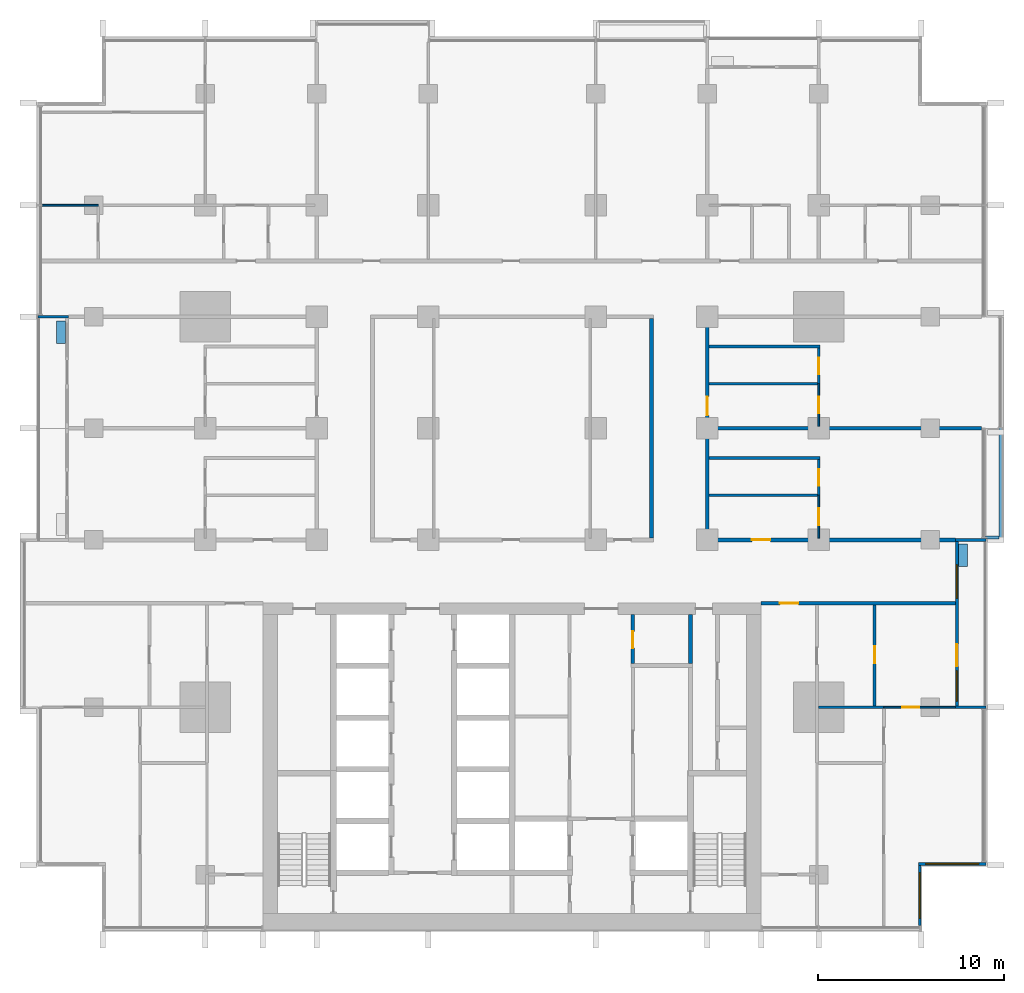
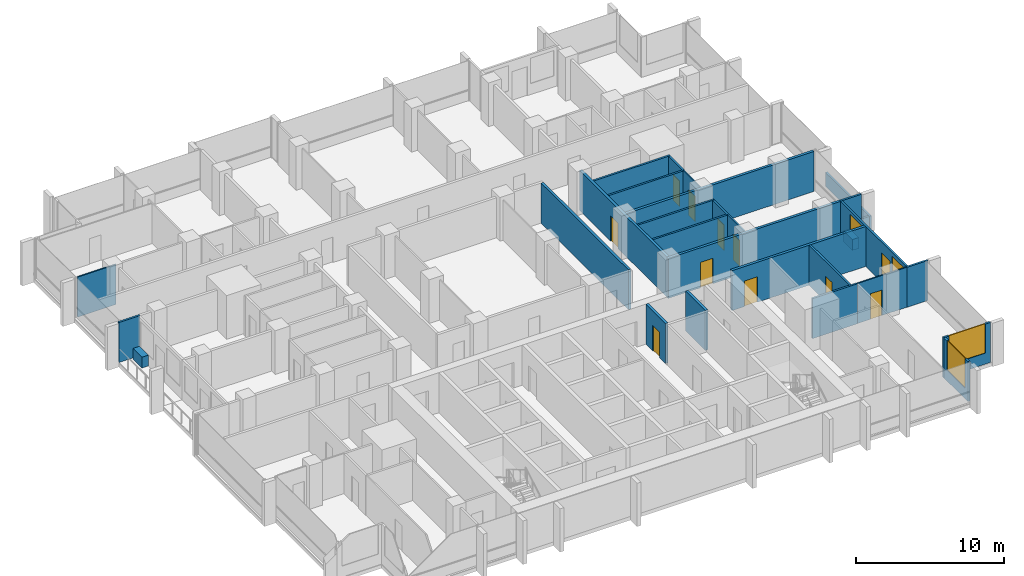
# One storey, part 10 of 17: 29 walls, 11 doors, 4 windows, 15 openings.
"""IFC4 building model written with IfcOpenShell, lengths in metres."""

from ifc_helpers import new_model, si_unit, direction, frame, frame_2d, origin, place, context, subcontext, project, spatial, rectangle, extrude, material, layer, layer_set, type_object, element, fill, save


model = new_model("IFC4")

# Units and contexts
model_context = context("Model", 3, precision=1e-05, world=origin(), true_north=direction((0.0, 1.0)))
body_context = subcontext(model_context, "Body", "Model", "MODEL_VIEW")
ifc_project = project(units=[si_unit("LENGTHUNIT", "METRE"), si_unit("AREAUNIT", "SQUARE_METRE"), si_unit("VOLUMEUNIT", "CUBIC_METRE"), si_unit("PLANEANGLEUNIT", "RADIAN"), si_unit("MASSUNIT", "GRAM", prefix="KILO")], contexts=[model_context])

# Site, building, storey
site_placement = place(None, origin())
site = spatial("IfcSite", under=ifc_project, at=site_placement, CompositionType="ELEMENT")
building_placement = place(site_placement, origin())
building = spatial("IfcBuilding", under=site, at=building_placement, Name="Finial Court Residences", CompositionType="ELEMENT")
storey_placement = place(building_placement, frame((0.0, 0.0, 117.10009765625)))
storey = spatial("IfcBuildingStorey", under=building, at=storey_placement, Name="L29", CompositionType="ELEMENT", Elevation=117.10009765625)

# Wall
ifc_material_1 = material(Name="Gypsum board")
ifc_layer_1 = layer(ifc_material_1, 0.02490234375)
ifc_material_2 = material(Name="Acoustic mineral wool in double frame")
ifc_layer_2 = layer(ifc_material_2, 0.14990234375)
ifc_layer_3 = layer(ifc_material_1, 0.02490234375)
ifc_layer_set_1 = layer_set([ifc_layer_1, ifc_layer_2, ifc_layer_3], Name="Acoustic party wall 200, 1 hour")
wall_type_1 = type_object("IfcWallType", Name="Acoustic party wall 200, 1 hour", PredefinedType="PARTITIONING", material=ifc_layer_set_1)
wall_1_placement = place(storey_placement, frame((10.60009765625, 1.5, 0.0), z_axis=(0.0, 0.0, 1.0), x_axis=(1.0, 0.0, 0.0)))
element("IfcWall", 1, at=wall_1_placement, inside=storey, type_object=wall_type_1, Name="Partition L29-018", PredefinedType="PARTITIONING", context=body_context, shape_type="SweptSolid", body=[
    extrude(rectangle(XDim=14.64990234375, YDim=0.199951171875, at=frame_2d((7.324951171875, 0.0))), origin(), (0.0, 0.0, 1.0), 3.2998046875),
])

# Wall, opening, door
ifc_layer_4 = layer(ifc_material_1, 0.02490234375)
ifc_layer_5 = layer(ifc_material_2, 0.14990234375)
ifc_layer_6 = layer(ifc_material_1, 0.02490234375)
ifc_layer_set_2 = layer_set([ifc_layer_4, ifc_layer_5, ifc_layer_6], Name="Corridor wall 200, 1 hour")
wall_type_2 = type_object("IfcWallType", Name="Corridor wall 200, 1 hour", PredefinedType="PARTITIONING", material=ifc_layer_set_2)
wall_2_placement = place(storey_placement, frame((13.39990234375, -7.89990234375, 0.0), z_axis=(0.0, 0.0, 1.0), x_axis=(1.0, 0.0, 0.0)))
wall_2 = element("IfcWall", 2, at=wall_2_placement, inside=storey, type_object=wall_type_2, Name="Partition L29-009", PredefinedType="PARTITIONING", context=body_context, shape_type="SweptSolid", body=[
    extrude(rectangle(XDim=10.4501953125, YDim=0.199951171875, at=frame_2d((5.22509765625, 0.0))), origin(), (0.0, 0.0, 1.0), 3.2998046875),
])
opening_1_placement = place(wall_2_placement, frame((1.0, 0.0, 0.0)))
opening_1 = element("IfcOpeningElement", 3, at=opening_1_placement, cuts=wall_2, Name="Opening L29-D006", PredefinedType="OPENING", context=body_context, shape_type="SweptSolid", body=[
    extrude(rectangle(XDim=1.0, YDim=2.10009765625, at=frame_2d((0.5, 1.050048828125))), frame((0.0, 0.10986328125, 0.0), z_axis=(0.0, -1.0, 0.0), x_axis=(1.0, 0.0, 0.0)), (0.0, 0.0, 1.0), 0.219970703125),
])
ifc_material_3 = material(Name="Timber door leaf in hollow metal frame", Category="wood")
door_type_1 = type_object("IfcDoorType", Name="Fire door set 1000 x 2100, 30 minutes", OperationType="SINGLE_SWING_LEFT", PredefinedType="DOOR", material=ifc_material_3)
door_1_placement = place(opening_1_placement, origin())
door_1 = element("IfcDoor", 4, at=door_1_placement, inside=storey, type_object=door_type_1, Name="Door L29-D006", OperationType="SINGLE_SWING_LEFT", OverallHeight=2.10009765625, OverallWidth=1.0, PredefinedType="DOOR", context=body_context, shape_type="SweptSolid", body=[
    extrude(rectangle(XDim=1.0, YDim=2.10009765625, at=frame_2d((0.5, 1.050048828125))), frame((0.0, 0.02490234375, 0.0), z_axis=(0.0, -1.0, 0.0), x_axis=(1.0, 0.0, 0.0)), (0.0, 0.0, 1.0), 0.050048828125),
])
fill(opening_1, door_1)

wall_3_placement = place(storey_placement, frame((10.39990234375, -4.5, 0.0), z_axis=(0.0, 0.0, 1.0), x_axis=(1.0, 0.0, 0.0)))
wall_3 = element("IfcWall", 5, at=wall_3_placement, inside=storey, type_object=wall_type_2, Name="Partition L29-012", PredefinedType="PARTITIONING", context=body_context, shape_type="SweptSolid", body=[
    extrude(rectangle(XDim=13.4501953125, YDim=0.199951171875, at=frame_2d((6.72509765625, 0.0))), origin(), (0.0, 0.0, 1.0), 3.2998046875),
])
opening_2_placement = place(wall_3_placement, frame((2.5, 0.0, 0.0)))
opening_2 = element("IfcOpeningElement", 6, at=opening_2_placement, cuts=wall_3, Name="Opening L29-D011", PredefinedType="OPENING", context=body_context, shape_type="SweptSolid", body=[
    extrude(rectangle(XDim=1.0, YDim=2.10009765625, at=frame_2d((0.5, 1.050048828125))), frame((0.0, 0.10986328125, 0.0), z_axis=(0.0, -1.0, 0.0), x_axis=(1.0, 0.0, 0.0)), (0.0, 0.0, 1.0), 0.219970703125),
])
door_2_placement = place(opening_2_placement, origin())
door_2 = element("IfcDoor", 7, at=door_2_placement, inside=storey, type_object=door_type_1, Name="Door L29-D011", OperationType="SINGLE_SWING_RIGHT", OverallHeight=2.10009765625, OverallWidth=1.0, PredefinedType="DOOR", context=body_context, shape_type="SweptSolid", body=[
    extrude(rectangle(XDim=1.0, YDim=2.10009765625, at=frame_2d((0.5, 1.050048828125))), frame((0.0, 0.02490234375, 0.0), z_axis=(0.0, -1.0, 0.0), x_axis=(1.0, 0.0, 0.0)), (0.0, 0.0, 1.0), 0.050048828125),
])
fill(opening_2, door_2)

# Wall
wall_4_placement = place(storey_placement, frame((7.5, -4.39990234375, 0.0), z_axis=(0.0, 0.0, 1.0), x_axis=(0.0, 1.0, 0.0)))
element("IfcWall", 8, at=wall_4_placement, inside=storey, type_object=wall_type_2, Name="Partition L29-058", PredefinedType="PARTITIONING", context=body_context, shape_type="SweptSolid", body=[
    extrude(rectangle(XDim=11.7998046875, YDim=0.199951171875, at=frame_2d((5.89990234375, 0.0))), origin(), (0.0, 0.0, 1.0), 3.2998046875),
])

# Wall, opening, door
wall_5_placement = place(storey_placement, frame((10.5, -4.39990234375, 0.0), z_axis=(0.0, 0.0, 1.0), x_axis=(0.0, 1.0, 0.0)))
wall_5 = element("IfcWall", 9, at=wall_5_placement, inside=storey, type_object=wall_type_2, Name="Partition L29-059", PredefinedType="PARTITIONING", context=body_context, shape_type="SweptSolid", body=[
    extrude(rectangle(XDim=11.7998046875, YDim=0.199951171875, at=frame_2d((5.89990234375, 0.0))), origin(), (0.0, 0.0, 1.0), 3.2998046875),
])
opening_3_placement = place(wall_5_placement, frame((6.60009765625, 0.0, 0.0)))
opening_3 = element("IfcOpeningElement", 10, at=opening_3_placement, cuts=wall_5, Name="Opening L29-D037", PredefinedType="OPENING", context=body_context, shape_type="SweptSolid", body=[
    extrude(rectangle(XDim=1.0, YDim=2.10009765625, at=frame_2d((0.5, 1.050048828125))), frame((0.0, 0.10986328125, 0.0), z_axis=(0.0, -1.0, 0.0), x_axis=(1.0, 0.0, 0.0)), (0.0, 0.0, 1.0), 0.219970703125),
])
door_3_placement = place(opening_3_placement, origin())
door_3 = element("IfcDoor", 11, at=door_3_placement, inside=storey, type_object=door_type_1, Name="Door L29-D037", OperationType="SINGLE_SWING_RIGHT", OverallHeight=2.10009765625, OverallWidth=1.0, PredefinedType="DOOR", context=body_context, shape_type="SweptSolid", body=[
    extrude(rectangle(XDim=1.0, YDim=2.10009765625, at=frame_2d((0.5, 1.050048828125))), frame((0.0, 0.02490234375, 0.0), z_axis=(0.0, -1.0, 0.0), x_axis=(1.0, 0.0, 0.0)), (0.0, 0.0, 1.0), 0.050048828125),
])
fill(opening_3, door_3)

ifc_layer_7 = layer(ifc_material_1, 0.012451171875)
ifc_material_4 = material(Name="Mineral wool in light-gauge frame")
ifc_layer_8 = layer(ifc_material_4, 0.074951171875)
ifc_layer_9 = layer(ifc_material_1, 0.012451171875)
ifc_layer_set_3 = layer_set([ifc_layer_7, ifc_layer_8, ifc_layer_9], Name="Gypsum board partition 100")
wall_type_3 = type_object("IfcWallType", Name="Gypsum board partition 100", PredefinedType="PARTITIONING", material=ifc_layer_set_3)
wall_6_placement = place(storey_placement, frame((20.0, -13.5, 0.0), z_axis=(0.0, 0.0, 1.0), x_axis=(1.0, 0.0, 0.0)))
wall_6 = element("IfcWall", 12, at=wall_6_placement, inside=storey, type_object=wall_type_3, Name="Partition L29-005", PredefinedType="PARTITIONING", context=body_context, shape_type="SweptSolid", body=[
    extrude(rectangle(XDim=3.85009765625, YDim=0.10009765625, at=frame_2d((1.925048828125, 0.0))), origin(), (0.0, 0.0, 1.0), 3.2998046875),
])
opening_4_placement = place(wall_6_placement, frame((1.0, 0.0, 0.0)))
opening_4 = element("IfcOpeningElement", 13, at=opening_4_placement, cuts=wall_6, Name="Opening L29-D004", PredefinedType="OPENING", context=body_context, shape_type="SweptSolid", body=[
    extrude(rectangle(XDim=0.89990234375, YDim=2.10009765625, at=frame_2d((0.449951171875, 1.050048828125))), frame((0.0, 0.06005859375, 0.0), z_axis=(0.0, -1.0, 0.0), x_axis=(1.0, 0.0, 0.0)), (0.0, 0.0, 1.0), 0.1201171875),
])
ifc_material_5 = material(Name="Timber door leaf in timber frame", Category="wood")
door_type_2 = type_object("IfcDoorType", Name="Door set 900 x 2100", OperationType="SINGLE_SWING_LEFT", PredefinedType="DOOR", material=ifc_material_5)
door_4_placement = place(opening_4_placement, origin())
door_4 = element("IfcDoor", 14, at=door_4_placement, inside=storey, type_object=door_type_2, Name="Door L29-D004", OperationType="SINGLE_SWING_LEFT", OverallHeight=2.10009765625, OverallWidth=0.89990234375, PredefinedType="DOOR", context=body_context, shape_type="SweptSolid", body=[
    extrude(rectangle(XDim=0.89990234375, YDim=2.10009765625, at=frame_2d((0.449951171875, 1.050048828125))), frame((0.0, 0.02490234375, 0.0), z_axis=(0.0, -1.0, 0.0), x_axis=(1.0, 0.0, 0.0)), (0.0, 0.0, 1.0), 0.050048828125),
])
fill(opening_4, door_4)

# Wall
wall_7_placement = place(storey_placement, frame((-25.25, 13.5, 0.0), z_axis=(0.0, 0.0, 1.0), x_axis=(1.0, 0.0, 0.0)))
element("IfcWall", 15, at=wall_7_placement, inside=storey, type_object=wall_type_3, Name="Partition L29-027", PredefinedType="PARTITIONING", context=body_context, shape_type="SweptSolid", body=[
    extrude(rectangle(XDim=3.0, YDim=0.10009765625, at=frame_2d((1.5, 0.0))), origin(), (0.0, 0.0, 1.0), 3.2998046875),
])

# Wall, opening, door
wall_8_placement = place(storey_placement, frame((16.5, -4.39990234375, 0.0), z_axis=(0.0, 0.0, 1.0), x_axis=(0.0, 1.0, 0.0)))
wall_8 = element("IfcWall", 16, at=wall_8_placement, inside=storey, type_object=wall_type_3, Name="Partition L29-066", PredefinedType="PARTITIONING", context=body_context, shape_type="SweptSolid", body=[
    extrude(rectangle(XDim=2.2998046875, YDim=0.10009765625, at=frame_2d((1.14990234375, 0.0))), origin(), (0.0, 0.0, 1.0), 3.2998046875),
])
opening_5_placement = place(wall_8_placement, frame((0.699951171875, 0.0, 0.0)))
opening_5 = element("IfcOpeningElement", 17, at=opening_5_placement, cuts=wall_8, Name="Opening L29-D039", PredefinedType="OPENING", context=body_context, shape_type="SweptSolid", body=[
    extrude(rectangle(XDim=0.89990234375, YDim=2.10009765625, at=frame_2d((0.449951171875, 1.050048828125))), frame((0.0, 0.06005859375, 0.0), z_axis=(0.0, -1.0, 0.0), x_axis=(1.0, 0.0, 0.0)), (0.0, 0.0, 1.0), 0.1201171875),
])
door_5_placement = place(opening_5_placement, origin())
door_5 = element("IfcDoor", 18, at=door_5_placement, inside=storey, type_object=door_type_2, Name="Door L29-D039", OperationType="SINGLE_SWING_RIGHT", OverallHeight=2.10009765625, OverallWidth=0.89990234375, PredefinedType="DOOR", context=body_context, shape_type="SweptSolid", body=[
    extrude(rectangle(XDim=0.89990234375, YDim=2.10009765625, at=frame_2d((0.449951171875, 1.050048828125))), frame((0.0, 0.02490234375, 0.0), z_axis=(0.0, -1.0, 0.0), x_axis=(1.0, 0.0, 0.0)), (0.0, 0.0, 1.0), 0.050048828125),
])
fill(opening_5, door_5)

wall_9_placement = place(storey_placement, frame((16.5, 1.60009765625, 0.0), z_axis=(0.0, 0.0, 1.0), x_axis=(0.0, 1.0, 0.0)))
wall_9 = element("IfcWall", 19, at=wall_9_placement, inside=storey, type_object=wall_type_3, Name="Partition L29-067", PredefinedType="PARTITIONING", context=body_context, shape_type="SweptSolid", body=[
    extrude(rectangle(XDim=2.2998046875, YDim=0.10009765625, at=frame_2d((1.14990234375, 0.0))), origin(), (0.0, 0.0, 1.0), 3.2998046875),
])
opening_6_placement = place(wall_9_placement, frame((0.699951171875, 0.0, 0.0)))
opening_6 = element("IfcOpeningElement", 20, at=opening_6_placement, cuts=wall_9, Name="Opening L29-D040", PredefinedType="OPENING", context=body_context, shape_type="SweptSolid", body=[
    extrude(rectangle(XDim=0.89990234375, YDim=2.10009765625, at=frame_2d((0.449951171875, 1.050048828125))), frame((0.0, 0.06005859375, 0.0), z_axis=(0.0, -1.0, 0.0), x_axis=(1.0, 0.0, 0.0)), (0.0, 0.0, 1.0), 0.1201171875),
])
door_6_placement = place(opening_6_placement, origin())
door_6 = element("IfcDoor", 21, at=door_6_placement, inside=storey, type_object=door_type_2, Name="Door L29-D040", OperationType="SINGLE_SWING_LEFT", OverallHeight=2.10009765625, OverallWidth=0.89990234375, PredefinedType="DOOR", context=body_context, shape_type="SweptSolid", body=[
    extrude(rectangle(XDim=0.89990234375, YDim=2.10009765625, at=frame_2d((0.449951171875, 1.050048828125))), frame((0.0, 0.02490234375, 0.0), z_axis=(0.0, -1.0, 0.0), x_axis=(1.0, 0.0, 0.0)), (0.0, 0.0, 1.0), 0.050048828125),
])
fill(opening_6, door_6)

# Walls
ifc_material_6 = material(Name="Moisture-resistant gypsum board")
ifc_layer_10 = layer(ifc_material_6, 0.012451171875)
ifc_layer_11 = layer(ifc_material_4, 0.125)
ifc_layer_12 = layer(ifc_material_6, 0.012451171875)
ifc_layer_set_4 = layer_set([ifc_layer_10, ifc_layer_11, ifc_layer_12], Name="Gypsum board wet-area partition 150")
wall_type_4 = type_object("IfcWallType", Name="Gypsum board wet-area partition 150", PredefinedType="PARTITIONING", material=ifc_layer_set_4)
wall_10_placement = place(storey_placement, frame((16.47509765625, -13.5, 0.0), z_axis=(0.0, 0.0, 1.0), x_axis=(1.0, 0.0, 0.0)))
element("IfcWall", 22, at=wall_10_placement, inside=storey, type_object=wall_type_4, Name="Partition L29-007", PredefinedType="PARTITIONING", context=body_context, shape_type="SweptSolid", body=[
    extrude(rectangle(XDim=3.52490234375, YDim=0.14990234375, at=frame_2d((1.762451171875, 0.0))), origin(), (0.0, 0.0, 1.0), 3.2998046875),
])
wall_11_placement = place(storey_placement, frame((10.60009765625, -2.10009765625, 0.0), z_axis=(0.0, 0.0, 1.0), x_axis=(1.0, 0.0, 0.0)))
element("IfcWall", 23, at=wall_11_placement, inside=storey, type_object=wall_type_4, Name="Partition L29-014", PredefinedType="PARTITIONING", context=body_context, shape_type="SweptSolid", body=[
    extrude(rectangle(XDim=5.824951171875, YDim=0.14990234375, at=frame_2d((2.91259765625, 0.0))), origin(), (0.0, 0.0, 1.0), 3.2998046875),
])
wall_12_placement = place(storey_placement, frame((10.60009765625, -0.10009765625, 0.0), z_axis=(0.0, 0.0, 1.0), x_axis=(1.0, 0.0, 0.0)))
element("IfcWall", 24, at=wall_12_placement, inside=storey, type_object=wall_type_4, Name="Partition L29-016", PredefinedType="PARTITIONING", context=body_context, shape_type="SweptSolid", body=[
    extrude(rectangle(XDim=5.974853515625, YDim=0.14990234375, at=frame_2d((2.9873046875, 0.0))), origin(), (0.0, 0.0, 1.0), 3.2998046875),
])
wall_13_placement = place(storey_placement, frame((10.60009765625, 3.89990234375, 0.0), z_axis=(0.0, 0.0, 1.0), x_axis=(1.0, 0.0, 0.0)))
element("IfcWall", 25, at=wall_13_placement, inside=storey, type_object=wall_type_4, Name="Partition L29-020", PredefinedType="PARTITIONING", context=body_context, shape_type="SweptSolid", body=[
    extrude(rectangle(XDim=5.824951171875, YDim=0.14990234375, at=frame_2d((2.91259765625, 0.0))), origin(), (0.0, 0.0, 1.0), 3.2998046875),
])
wall_14_placement = place(storey_placement, frame((10.60009765625, 5.89990234375, 0.0), z_axis=(0.0, 0.0, 1.0), x_axis=(1.0, 0.0, 0.0)))
element("IfcWall", 26, at=wall_14_placement, inside=storey, type_object=wall_type_4, Name="Partition L29-022", PredefinedType="PARTITIONING", context=body_context, shape_type="SweptSolid", body=[
    extrude(rectangle(XDim=5.974853515625, YDim=0.14990234375, at=frame_2d((2.9873046875, 0.0))), origin(), (0.0, 0.0, 1.0), 3.2998046875),
])

# Wall, opening, door
wall_15_placement = place(storey_placement, frame((16.5, -2.10009765625, 0.0), z_axis=(0.0, 0.0, 1.0), x_axis=(0.0, 1.0, 0.0)))
wall_15 = element("IfcWall", 27, at=wall_15_placement, inside=storey, type_object=wall_type_4, Name="Partition L29-069", PredefinedType="PARTITIONING", context=body_context, shape_type="SweptSolid", body=[
    extrude(rectangle(XDim=1.925048828125, YDim=0.14990234375, at=frame_2d((0.96240234375, 0.0))), origin(), (0.0, 0.0, 1.0), 3.2998046875),
])
opening_7_placement = place(wall_15_placement, frame((0.5, 0.0, 0.0)))
opening_7 = element("IfcOpeningElement", 28, at=opening_7_placement, cuts=wall_15, Name="Opening L29-D041", PredefinedType="OPENING", context=body_context, shape_type="SweptSolid", body=[
    extrude(rectangle(XDim=0.89990234375, YDim=2.10009765625, at=frame_2d((0.449951171875, 1.050048828125))), frame((0.0, 0.0849609375, 0.0), z_axis=(0.0, -1.0, 0.0), x_axis=(1.0, 0.0, 0.0)), (0.0, 0.0, 1.0), 0.169921875),
])
door_7_placement = place(opening_7_placement, origin())
door_7 = element("IfcDoor", 29, at=door_7_placement, inside=storey, type_object=door_type_2, Name="Door L29-D041", OperationType="SINGLE_SWING_RIGHT", OverallHeight=2.10009765625, OverallWidth=0.89990234375, PredefinedType="DOOR", context=body_context, shape_type="SweptSolid", body=[
    extrude(rectangle(XDim=0.89990234375, YDim=2.10009765625, at=frame_2d((0.449951171875, 1.050048828125))), frame((0.0, 0.02490234375, 0.0), z_axis=(0.0, -1.0, 0.0), x_axis=(1.0, 0.0, 0.0)), (0.0, 0.0, 1.0), 0.050048828125),
])
fill(opening_7, door_7)

wall_16_placement = place(storey_placement, frame((16.5, 3.89990234375, 0.0), z_axis=(0.0, 0.0, 1.0), x_axis=(0.0, 1.0, 0.0)))
wall_16 = element("IfcWall", 30, at=wall_16_placement, inside=storey, type_object=wall_type_4, Name="Partition L29-070", PredefinedType="PARTITIONING", context=body_context, shape_type="SweptSolid", body=[
    extrude(rectangle(XDim=1.925048828125, YDim=0.14990234375, at=frame_2d((0.96240234375, 0.0))), origin(), (0.0, 0.0, 1.0), 3.2998046875),
])
opening_8_placement = place(wall_16_placement, frame((0.5, 0.0, 0.0)))
opening_8 = element("IfcOpeningElement", 31, at=opening_8_placement, cuts=wall_16, Name="Opening L29-D042", PredefinedType="OPENING", context=body_context, shape_type="SweptSolid", body=[
    extrude(rectangle(XDim=0.89990234375, YDim=2.10009765625, at=frame_2d((0.449951171875, 1.050048828125))), frame((0.0, 0.0849609375, 0.0), z_axis=(0.0, -1.0, 0.0), x_axis=(1.0, 0.0, 0.0)), (0.0, 0.0, 1.0), 0.169921875),
])
door_8_placement = place(opening_8_placement, origin())
door_8 = element("IfcDoor", 32, at=door_8_placement, inside=storey, type_object=door_type_2, Name="Door L29-D042", OperationType="SINGLE_SWING_RIGHT", OverallHeight=2.10009765625, OverallWidth=0.89990234375, PredefinedType="DOOR", context=body_context, shape_type="SweptSolid", body=[
    extrude(rectangle(XDim=0.89990234375, YDim=2.10009765625, at=frame_2d((0.449951171875, 1.050048828125))), frame((0.0, 0.02490234375, 0.0), z_axis=(0.0, -1.0, 0.0), x_axis=(1.0, 0.0, 0.0)), (0.0, 0.0, 1.0), 0.050048828125),
])
fill(opening_8, door_8)

wall_17_placement = place(storey_placement, frame((19.5, -13.425048828125, 0.0), z_axis=(0.0, 0.0, 1.0), x_axis=(0.0, 1.0, 0.0)))
wall_17 = element("IfcWall", 33, at=wall_17_placement, inside=storey, type_object=wall_type_4, Name="Partition L29-072", PredefinedType="PARTITIONING", context=body_context, shape_type="SweptSolid", body=[
    extrude(rectangle(XDim=5.425048828125, YDim=0.14990234375, at=frame_2d((2.71240234375, 0.0))), origin(), (0.0, 0.0, 1.0), 3.2998046875),
])
opening_9_placement = place(wall_17_placement, frame((2.300048828125, 0.0, 0.0)))
opening_9 = element("IfcOpeningElement", 34, at=opening_9_placement, cuts=wall_17, Name="Opening L29-D044", PredefinedType="OPENING", context=body_context, shape_type="SweptSolid", body=[
    extrude(rectangle(XDim=0.89990234375, YDim=2.10009765625, at=frame_2d((0.449951171875, 1.050048828125))), frame((0.0, 0.0849609375, 0.0), z_axis=(0.0, -1.0, 0.0), x_axis=(1.0, 0.0, 0.0)), (0.0, 0.0, 1.0), 0.169921875),
])
door_9_placement = place(opening_9_placement, origin())
door_9 = element("IfcDoor", 35, at=door_9_placement, inside=storey, type_object=door_type_2, Name="Door L29-D044", OperationType="SINGLE_SWING_LEFT", OverallHeight=2.10009765625, OverallWidth=0.89990234375, PredefinedType="DOOR", context=body_context, shape_type="SweptSolid", body=[
    extrude(rectangle(XDim=0.89990234375, YDim=2.10009765625, at=frame_2d((0.449951171875, 1.050048828125))), frame((0.0, 0.02490234375, 0.0), z_axis=(0.0, -1.0, 0.0), x_axis=(1.0, 0.0, 0.0)), (0.0, 0.0, 1.0), 0.050048828125),
])
fill(opening_9, door_9)

# Walls
ifc_material_7 = material(Name="Concrete C35/45", Category="concrete")
ifc_layer_13 = layer(ifc_material_7, 0.14990234375)
ifc_layer_set_5 = layer_set([ifc_layer_13], Name="Ledge parapet, Concrete C35/45 150")
wall_type_5 = type_object("IfcWallType", Name="Ledge parapet, Concrete C35/45 150", PredefinedType="PARAPET", material=ifc_layer_set_5)
wall_18_placement = place(storey_placement, frame((26.27490234375, 1.5400390625, 0.0), z_axis=(0.0, 0.0, 1.0), x_axis=(0.0, -1.0, 0.0)))
element("IfcWall", 36, at=wall_18_placement, inside=storey, type_object=wall_type_5, Name="E-L29-LED2-P1", PredefinedType="PARAPET", context=body_context, shape_type="SweptSolid", body=[
    extrude(rectangle(XDim=5.989990234375, YDim=0.14990234375, at=frame_2d((2.9951171875, 0.0))), origin(), (0.0, 0.0, 1.0), 1.14990234375),
])
wall_19_placement = place(storey_placement, frame((26.199951171875, -4.375, 0.0), z_axis=(0.0, 0.0, 1.0), x_axis=(-1.0, 0.0, 0.0)))
element("IfcWall", 37, at=wall_19_placement, inside=storey, type_object=wall_type_5, Name="E-L29-LED2-P2", PredefinedType="PARAPET", context=body_context, shape_type="SweptSolid", body=[
    extrude(rectangle(XDim=0.739990234375, YDim=0.14990234375, at=frame_2d((0.3701171875, 0.0))), origin(), (0.0, 0.0, 1.0), 1.14990234375),
])

# Wall, opening, window
ifc_material_8 = material(Name="Natural limestone", Category="masonry")
ifc_layer_14 = layer(ifc_material_8, 0.14990234375)
ifc_layer_set_6 = layer_set([ifc_layer_14], Name="Limestone clad wall 150")
wall_type_6 = type_object("IfcWallType", Name="Limestone clad wall 150", PredefinedType="SOLIDWALL", material=ifc_layer_set_6)
wall_20_placement = place(storey_placement, frame((21.925048828125, -22.0, 0.0), z_axis=(0.0, 0.0, 1.0), x_axis=(0.0, -1.0, 0.0)))
wall_20 = element("IfcWall", 38, at=wall_20_placement, inside=storey, type_object=wall_type_6, Name="E-L29-NWE16", PredefinedType="SOLIDWALL", context=body_context, shape_type="SweptSolid", body=[
    extrude(rectangle(XDim=3.25, YDim=0.14990234375, at=frame_2d((1.625, 0.0))), origin(), (0.0, 0.0, 1.0), 3.2998046875),
])
opening_10_placement = place(wall_20_placement, frame((0.39990234375, 0.0, 0.89990234375)))
opening_10 = element("IfcOpeningElement", 39, at=opening_10_placement, cuts=wall_20, Name="Opening WE29-03", PredefinedType="OPENING", context=body_context, shape_type="SweptSolid", body=[
    extrude(rectangle(XDim=2.449951171875, YDim=2.39990234375, at=frame_2d((1.22509765625, 1.199951171875))), frame((0.0, 0.0849609375, 0.0), z_axis=(0.0, -1.0, 0.0), x_axis=(1.0, 0.0, 0.0)), (0.0, 0.0, 1.0), 0.169921875),
])
ifc_material_9 = material(Name="Clear low-e glass", Category="glass")
window_type_1 = type_object("IfcWindowType", Name="Corner window 2450 x 2400", PartitioningType="SINGLE_PANEL", PredefinedType="WINDOW", material=ifc_material_9)
window_1_placement = place(opening_10_placement, origin())
window_1 = element("IfcWindow", 40, at=window_1_placement, inside=storey, type_object=window_type_1, Name="E-L29-NWE16-W1", OverallHeight=2.39990234375, OverallWidth=2.449951171875, PartitioningType="SINGLE_PANEL", PredefinedType="WINDOW", context=body_context, shape_type="SweptSolid", body=[
    extrude(rectangle(XDim=2.449951171875, YDim=2.39990234375, at=frame_2d((1.22509765625, 1.199951171875))), frame((0.0, 0.030029296875, 0.0), z_axis=(0.0, -1.0, 0.0), x_axis=(1.0, 0.0, 0.0)), (0.0, 0.0, 1.0), 0.06005859375),
])
fill(opening_10, window_1)

wall_21_placement = place(storey_placement, frame((25.5, -21.925048828125, 0.0), z_axis=(0.0, 0.0, 1.0), x_axis=(-1.0, 0.0, 0.0)))
wall_21 = element("IfcWall", 41, at=wall_21_placement, inside=storey, type_object=wall_type_6, Name="E-L29-NWS17", PredefinedType="SOLIDWALL", context=body_context, shape_type="SweptSolid", body=[
    extrude(rectangle(XDim=3.64990234375, YDim=0.14990234375, at=frame_2d((1.824951171875, 0.0))), origin(), (0.0, 0.0, 1.0), 3.2998046875),
])
opening_11_placement = place(wall_21_placement, frame((0.39990234375, 0.0, 0.89990234375)))
opening_11 = element("IfcOpeningElement", 42, at=opening_11_placement, cuts=wall_21, Name="Opening WE29-04", PredefinedType="OPENING", context=body_context, shape_type="SweptSolid", body=[
    extrude(rectangle(XDim=2.85009765625, YDim=2.39990234375, at=frame_2d((1.425048828125, 1.199951171875))), frame((0.0, 0.0849609375, 0.0), z_axis=(0.0, -1.0, 0.0), x_axis=(1.0, 0.0, 0.0)), (0.0, 0.0, 1.0), 0.169921875),
])
window_type_2 = type_object("IfcWindowType", Name="Corner window 2850 x 2400", PartitioningType="SINGLE_PANEL", PredefinedType="WINDOW", material=ifc_material_9)
window_2_placement = place(opening_11_placement, origin())
window_2 = element("IfcWindow", 43, at=window_2_placement, inside=storey, type_object=window_type_2, Name="E-L29-NWS17-W1", OverallHeight=2.39990234375, OverallWidth=2.85009765625, PartitioningType="SINGLE_PANEL", PredefinedType="WINDOW", context=body_context, shape_type="SweptSolid", body=[
    extrude(rectangle(XDim=2.85009765625, YDim=2.39990234375, at=frame_2d((1.425048828125, 1.199951171875))), frame((0.0, 0.030029296875, 0.0), z_axis=(0.0, -1.0, 0.0), x_axis=(1.0, 0.0, 0.0)), (0.0, 0.0, 1.0), 0.06005859375),
])
fill(opening_11, window_2)

# Walls
for number, where, z_axis, x_axis, name in (
    (44, (23.85009765625, -13.5, 0.0), (0.0, 0.0, 1.0), (1.0, 0.0, 0.0), "E-L29-BALE2-P1"),
    (45, (23.85009765625, -4.5, 0.0), (0.0, 0.0, 1.0), (1.0, 0.0, 0.0), "E-L29-BALE2-P2"),
):
    element("IfcWall", number, at=place(storey_placement, frame(where, z_axis=z_axis, x_axis=x_axis)), inside=storey, type_object=wall_type_6, Name=name, PredefinedType="SOLIDWALL", context=body_context, shape_type="SweptSolid", body=[
        extrude(rectangle(XDim=1.64990234375, YDim=0.14990234375, at=frame_2d((0.824951171875, 0.0))), origin(), (0.0, 0.0, 1.0), 3.2998046875),
    ])

# Wall, openings, door, windows
wall_22_placement = place(storey_placement, frame((23.925048828125, -4.574951171875, 0.0), z_axis=(0.0, 0.0, 1.0), x_axis=(0.0, -1.0, 0.0)))
wall_22 = element("IfcWall", 46, at=wall_22_placement, inside=storey, type_object=wall_type_6, Name="E-L29-L29-BALE2-W", PredefinedType="SOLIDWALL", context=body_context, shape_type="SweptSolid", body=[
    extrude(rectangle(XDim=8.85009765625, YDim=0.14990234375, at=frame_2d((4.425048828125, 0.0))), origin(), (0.0, 0.0, 1.0), 3.2998046875),
])
opening_12_placement = place(wall_22_placement, frame((5.52490234375, 0.0, 0.0)))
opening_12 = element("IfcOpeningElement", 47, at=opening_12_placement, cuts=wall_22, Name="Opening DE29-02", PredefinedType="OPENING", context=body_context, shape_type="SweptSolid", body=[
    extrude(rectangle(XDim=1.199951171875, YDim=2.39990234375, at=frame_2d((0.60009765625, 1.199951171875))), frame((0.0, 0.0849609375, 0.0), z_axis=(0.0, -1.0, 0.0), x_axis=(1.0, 0.0, 0.0)), (0.0, 0.0, 1.0), 0.169921875),
])
opening_13_placement = place(wall_22_placement, frame((6.97509765625, 0.0, 0.89990234375)))
opening_13 = element("IfcOpeningElement", 48, at=opening_13_placement, cuts=wall_22, Name="Opening WE29-11", PredefinedType="OPENING", context=body_context, shape_type="SweptSolid", body=[
    extrude(rectangle(XDim=1.625, YDim=2.10009765625, at=frame_2d((0.8125, 1.050048828125))), frame((0.0, 0.0849609375, 0.0), z_axis=(0.0, -1.0, 0.0), x_axis=(1.0, 0.0, 0.0)), (0.0, 0.0, 1.0), 0.169921875),
])
opening_14_placement = place(wall_22_placement, frame((1.2626953125, 0.0, 0.89990234375)))
opening_14 = element("IfcOpeningElement", 49, at=opening_14_placement, cuts=wall_22, Name="Opening WE29-12", PredefinedType="OPENING", context=body_context, shape_type="SweptSolid", body=[
    extrude(rectangle(XDim=1.81201171875, YDim=2.10009765625, at=frame_2d((0.906005859375, 1.050048828125))), frame((0.0, 0.0849609375, 0.0), z_axis=(0.0, -1.0, 0.0), x_axis=(1.0, 0.0, 0.0)), (0.0, 0.0, 1.0), 0.169921875),
])
ifc_material_10 = material(Name="Bronze anodised aluminium", Category="aluminium")
door_type_3 = type_object("IfcDoorType", Name="Balcony door 1200 x 2400", OperationType="SINGLE_SWING_LEFT", PredefinedType="DOOR", material=ifc_material_10)
door_10_placement = place(opening_12_placement, origin())
door_10 = element("IfcDoor", 50, at=door_10_placement, inside=storey, type_object=door_type_3, Name="E-L29-L29-BALE2-W-D", OperationType="SINGLE_SWING_RIGHT", OverallHeight=2.39990234375, OverallWidth=1.199951171875, PredefinedType="DOOR", context=body_context, shape_type="SweptSolid", body=[
    extrude(rectangle(XDim=1.199951171875, YDim=2.39990234375, at=frame_2d((0.60009765625, 1.199951171875))), frame((0.0, 0.02490234375, 0.0), z_axis=(0.0, -1.0, 0.0), x_axis=(1.0, 0.0, 0.0)), (0.0, 0.0, 1.0), 0.050048828125),
])
fill(opening_12, door_10)
window_type_3 = type_object("IfcWindowType", Name="Balcony window 1625 x 2100", PartitioningType="SINGLE_PANEL", PredefinedType="WINDOW", material=ifc_material_9)
window_3_placement = place(opening_13_placement, origin())
window_3 = element("IfcWindow", 51, at=window_3_placement, inside=storey, type_object=window_type_3, Name="E-L29-L29-BALE2-W-W1", OverallHeight=2.10009765625, OverallWidth=1.625, PartitioningType="SINGLE_PANEL", PredefinedType="WINDOW", context=body_context, shape_type="SweptSolid", body=[
    extrude(rectangle(XDim=1.625, YDim=2.10009765625, at=frame_2d((0.8125, 1.050048828125))), frame((0.0, 0.030029296875, 0.0), z_axis=(0.0, -1.0, 0.0), x_axis=(1.0, 0.0, 0.0)), (0.0, 0.0, 1.0), 0.06005859375),
])
fill(opening_13, window_3)
window_type_4 = type_object("IfcWindowType", Name="Balcony window 1812 x 2100", PartitioningType="SINGLE_PANEL", PredefinedType="WINDOW", material=ifc_material_9)
window_4_placement = place(opening_14_placement, origin())
window_4 = element("IfcWindow", 52, at=window_4_placement, inside=storey, type_object=window_type_4, Name="E-L29-L29-BALE2-W-W2", OverallHeight=2.10009765625, OverallWidth=1.81201171875, PartitioningType="SINGLE_PANEL", PredefinedType="WINDOW", context=body_context, shape_type="SweptSolid", body=[
    extrude(rectangle(XDim=1.81201171875, YDim=2.10009765625, at=frame_2d((0.906005859375, 1.050048828125))), frame((0.0, 0.030029296875, 0.0), z_axis=(0.0, -1.0, 0.0), x_axis=(1.0, 0.0, 0.0)), (0.0, 0.0, 1.0), 0.06005859375),
])
fill(opening_14, window_4)

# Walls
wall_23_placement = place(storey_placement, frame((-23.85009765625, 7.5, 0.0), z_axis=(0.0, 0.0, 1.0), x_axis=(-1.0, 0.0, 0.0)))
element("IfcWall", 53, at=wall_23_placement, inside=storey, type_object=wall_type_6, Name="E-L29-BALW4-P2", PredefinedType="SOLIDWALL", context=body_context, shape_type="SweptSolid", body=[
    extrude(rectangle(XDim=1.64990234375, YDim=0.14990234375, at=frame_2d((0.824951171875, 0.0))), origin(), (0.0, 0.0, 1.0), 3.2998046875),
])
ifc_material_11 = material(Name="Concrete C40/50", Category="concrete")
ifc_layer_15 = layer(ifc_material_11, 0.10009765625)
ifc_material_12 = material(Name="Planting soil", Category="soil")
ifc_layer_16 = layer(ifc_material_12, 0.300048828125)
ifc_layer_17 = layer(ifc_material_11, 0.10009765625)
ifc_layer_set_7 = layer_set([ifc_layer_15, ifc_layer_16, ifc_layer_17], Name="Planter wall, balcony")
wall_type_7 = type_object("IfcWallType", Name="Planter wall, balcony", PredefinedType="USERDEFINED", material=ifc_layer_set_7)
for number, where, z_axis, x_axis, name in (
    (54, (24.25, -5.925048828125, 0.0), (0.0, 0.0, 1.0), (0.0, 1.0, 0.0), "E-L29-BALE2-PL"),
    (55, (-24.25, 6.074951171875, 0.0), (0.0, 0.0, 1.0), (0.0, 1.0, 0.0), "E-L29-BALW4-PL"),
):
    element("IfcWall", number, at=place(storey_placement, frame(where, z_axis=z_axis, x_axis=x_axis)), inside=storey, type_object=wall_type_7, Name=name, ObjectType="PLANTER", PredefinedType="USERDEFINED", context=body_context, shape_type="SweptSolid", body=[
        extrude(rectangle(XDim=1.199951171875, YDim=0.5, at=frame_2d((0.60009765625, 0.0))), origin(), (0.0, 0.0, 1.0), 0.89990234375),
    ])

# Wall, opening, door
ifc_material_13 = material(Name="Fire-rated gypsum board partition")
ifc_layer_18 = layer(ifc_material_13, 0.199951171875)
ifc_layer_set_8 = layer_set([ifc_layer_18], Name="Riser room wall 200 EI 120")
wall_type_8 = type_object("IfcWallType", Name="Riser room wall 200 EI 120", PredefinedType="PARTITIONING", material=ifc_layer_set_8)
wall_24_placement = place(storey_placement, frame((6.5, -8.5, 0.0), z_axis=(0.0, 0.0, 1.0), x_axis=(0.0, -1.0, 0.0)))
wall_24 = element("IfcWall", 56, at=wall_24_placement, inside=storey, type_object=wall_type_8, Name="Core partition L29-33", PredefinedType="PARTITIONING", context=body_context, shape_type="SweptSolid", body=[
    extrude(rectangle(XDim=2.64990234375, YDim=0.199951171875, at=frame_2d((1.324951171875, 0.0))), origin(), (0.0, 0.0, 1.0), 3.2998046875),
])
opening_15_placement = place(wall_24_placement, frame((0.925048828125, 0.0, 0.0)))
opening_15 = element("IfcOpeningElement", 57, at=opening_15_placement, cuts=wall_24, Name="Opening L29-C08", PredefinedType="OPENING", context=body_context, shape_type="SweptSolid", body=[
    extrude(rectangle(XDim=0.89990234375, YDim=2.10009765625, at=frame_2d((0.449951171875, 1.050048828125))), frame((0.0, 0.10986328125, 0.0), z_axis=(0.0, -1.0, 0.0), x_axis=(1.0, 0.0, 0.0)), (0.0, 0.0, 1.0), 0.219970703125),
])
ifc_material_14 = material(Name="Steel fire door", Category="steel")
door_type_4 = type_object("IfcDoorType", Name="Riser room door 900 x 2100 EI 90", OperationType="NOTDEFINED", PredefinedType="DOOR", material=ifc_material_14)
door_11_placement = place(opening_15_placement, origin())
door_11 = element("IfcDoor", 58, at=door_11_placement, inside=storey, type_object=door_type_4, Name="Riser room door L29-C08", OperationType="SINGLE_SWING_RIGHT", OverallHeight=2.10009765625, OverallWidth=0.89990234375, PredefinedType="DOOR", context=body_context, shape_type="SweptSolid", body=[
    extrude(rectangle(XDim=0.89990234375, YDim=2.10009765625, at=frame_2d((0.449951171875, 1.050048828125))), frame((0.0, 0.02490234375, 0.0), z_axis=(0.0, -1.0, 0.0), x_axis=(1.0, 0.0, 0.0)), (0.0, 0.0, 1.0), 0.050048828125),
])
fill(opening_15, door_11)

# Wall
wall_25_placement = place(storey_placement, frame((9.60009765625, -11.14990234375, 0.0), z_axis=(0.0, 0.0, 1.0), x_axis=(0.0, 1.0, 0.0)))
element("IfcWall", 59, at=wall_25_placement, inside=storey, type_object=wall_type_8, Name="Core partition L29-36", PredefinedType="PARTITIONING", context=body_context, shape_type="SweptSolid", body=[
    extrude(rectangle(XDim=2.64990234375, YDim=0.199951171875, at=frame_2d((1.324951171875, 0.0))), origin(), (0.0, 0.0, 1.0), 3.2998046875),
])

save(model, "model.ifc")
